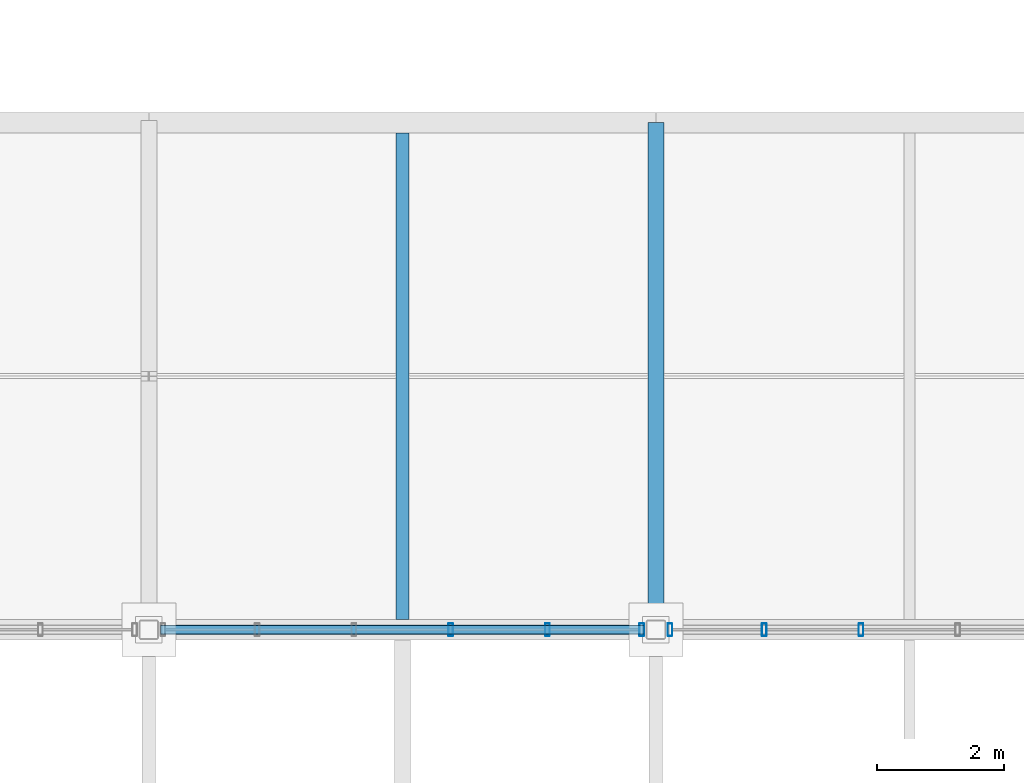
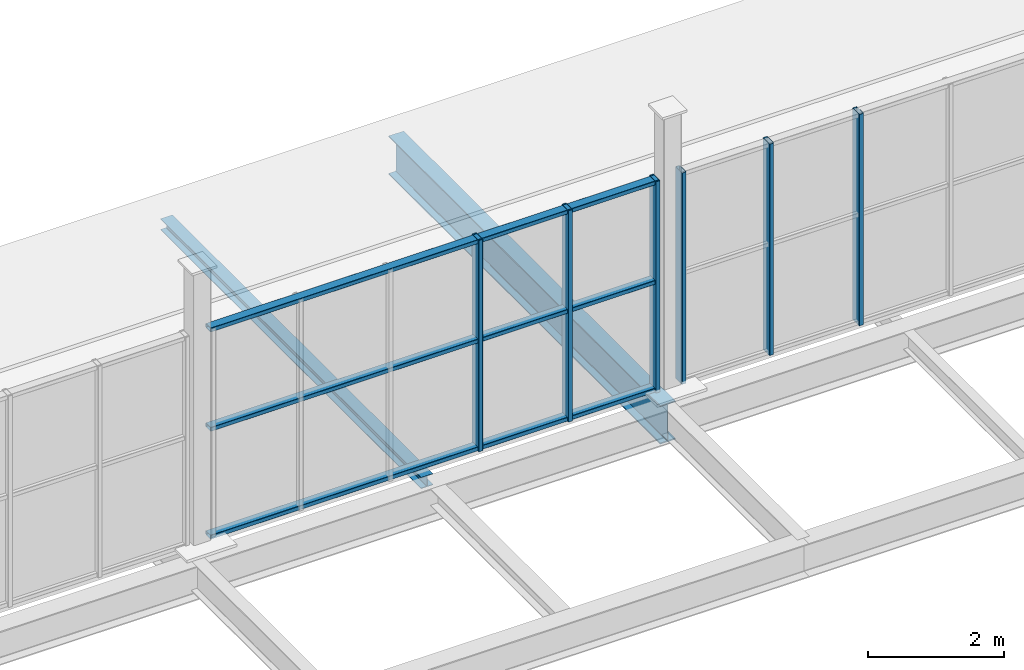
# One storey, part 50 of 96: 9 members, 2 beams, 2 elements without a shape of their own.
"""IFC4 building model written with IfcOpenShell, lengths in metres."""

from ifc_helpers import new_model, si_unit, direction, frame, origin, origin_2d, place, context, subcontext, project, spatial, hollow_rectangle, i_section, extrude, material, material_profile, profile_set, type_object, element, aggregate, save


model = new_model("IFC4")

# Units and contexts
model_context = context("Model", 3, precision=1e-05, world=origin(), true_north=direction((0.0, 1.0)))
body_context = subcontext(model_context, "Body", "Model", "MODEL_VIEW")
ifc_project = project(units=[si_unit("LENGTHUNIT", "METRE"), si_unit("AREAUNIT", "SQUARE_METRE"), si_unit("VOLUMEUNIT", "CUBIC_METRE"), si_unit("PLANEANGLEUNIT", "RADIAN"), si_unit("MASSUNIT", "GRAM", prefix="KILO")], contexts=[model_context])

# Site, building, storey
site_placement = place(None, origin())
site = spatial("IfcSite", under=ifc_project, at=site_placement, CompositionType="ELEMENT")
building_placement = place(site_placement, origin())
building = spatial("IfcBuilding", under=site, at=building_placement, Name="Verrall Gate Interchange", CompositionType="ELEMENT")
storey_placement = place(building_placement, frame((0.0, 0.0, 11.39990234375)))
storey = spatial("IfcBuildingStorey", under=building, at=storey_placement, Name="L03", CompositionType="ELEMENT", Elevation=11.39990234375)

# Beam
ifc_material_1 = material(Name="Structural Steel CSA G40.21 350WT Cat 4", Category="steel")
ifc_material_profile_1 = material_profile(ifc_material_1, i_section(OverallWidth=0.256103515625, OverallDepth=0.693115234375, WebThickness=0.01318359375, FlangeThickness=0.02001953125, FilletRadius=0.01611328125, at=origin_2d()), Name="W690x170")
ifc_profile_set_1 = profile_set([ifc_material_profile_1], Name="Structural Steel CSA G40.21 350WT Cat 4")
beam_type_1 = type_object("IfcBeamType", Name="B-07 Structural Beam W690x170", PredefinedType="BEAM", material=ifc_profile_set_1)
beam_1_placement = place(storey_placement, frame((84.0, 48.0, -0.676513671875), z_axis=(0.0, 1.0, 0.0), x_axis=(-1.0, 0.0, 0.0)))
element("IfcBeam", 1, at=beam_1_placement, inside=storey, type_object=beam_type_1, Name="L03 Girder BM-L03-2300 (B-07)", PredefinedType="BEAM", context=body_context, shape_type="SweptSolid", body=[
    extrude(i_section(OverallWidth=0.256103515625, OverallDepth=0.693115234375, WebThickness=0.01318359375, FlangeThickness=0.02001953125, FilletRadius=0.01611328125, at=origin_2d()), origin(), (0.0, 0.0, 1.0), 8.0),
])

# Curtain wall, members
ifc_material_2 = material(Name="Thermally Broken Anodized Aluminium Curtain Wall Framing", Category="aluminium")
curtain_wall_type = type_object("IfcCurtainWallType", Name="CW-53 Unitized Curtain Wall 7631x3800", PredefinedType="NOTDEFINED", material=ifc_material_2)
curtain_wall_1_placement = place(storey_placement, origin())
curtain_wall_1 = element("IfcCurtainWall", 2, at=curtain_wall_1_placement, inside=storey, type_object=curtain_wall_type, Name="L03 Unitized Curtain Wall CW-L03-CLR-178", PredefinedType="NOTDEFINED")
ifc_material_3 = material(Name="Thermally Broken Anodized Aluminium Curtain Wall Framing", Category="aluminium")
ifc_material_profile_2 = material_profile(ifc_material_3, hollow_rectangle(XDim=0.074951171875, YDim=0.199951171875, WallThickness=0.0048828125, InnerFilletRadius=0.0048828125, OuterFilletRadius=0.010009765625, at=origin_2d()), Name="CWM200x75x5")
ifc_profile_set_2 = profile_set([ifc_material_profile_2], Name="Thermally Broken Anodized Aluminium Curtain Wall Framing")
member_type_1 = type_object("IfcMemberType", Name="CM-02 Curtain Mullion CWM200x75x5", PredefinedType="MULLION", material=ifc_profile_set_2)
member_1_placement = place(storey_placement, frame((80.76318359375, 48.0, 0.0), z_axis=(0.0, 0.0, 1.0), x_axis=(1.0, 0.0, 0.0)))
member_1 = element("IfcMember", 3, at=member_1_placement, type_object=member_type_1, Name="CW-L03-CLR-178 Mullion 4", PredefinedType="MULLION", context=body_context, shape_type="SweptSolid", body=[
    extrude(hollow_rectangle(XDim=0.074951171875, YDim=0.199951171875, WallThickness=0.0048828125, InnerFilletRadius=0.0048828125, OuterFilletRadius=0.010009765625, at=origin_2d()), origin(), (0.0, 0.0, 1.0), 3.800048828125),
])
member_2_placement = place(storey_placement, frame((82.289306640625, 48.0, 0.0), z_axis=(0.0, 0.0, 1.0), x_axis=(1.0, 0.0, 0.0)))
member_2 = element("IfcMember", 4, at=member_2_placement, type_object=member_type_1, Name="CW-L03-CLR-178 Mullion 5", PredefinedType="MULLION", context=body_context, shape_type="SweptSolid", body=[
    extrude(hollow_rectangle(XDim=0.074951171875, YDim=0.199951171875, WallThickness=0.0048828125, InnerFilletRadius=0.0048828125, OuterFilletRadius=0.010009765625, at=origin_2d()), origin(), (0.0, 0.0, 1.0), 3.800048828125),
])
member_3_placement = place(storey_placement, frame((83.778076171875, 48.0, 0.0), z_axis=(0.0, 0.0, 1.0), x_axis=(1.0, 0.0, 0.0)))
member_3 = element("IfcMember", 5, at=member_3_placement, type_object=member_type_1, Name="CW-L03-CLR-178 Mullion 6", PredefinedType="MULLION", context=body_context, shape_type="SweptSolid", body=[
    extrude(hollow_rectangle(XDim=0.074951171875, YDim=0.199951171875, WallThickness=0.0048828125, InnerFilletRadius=0.0048828125, OuterFilletRadius=0.010009765625, at=origin_2d()), origin(), (0.0, 0.0, 1.0), 3.800048828125),
])

curtain_wall_2_placement = place(storey_placement, origin())
curtain_wall_2 = element("IfcCurtainWall", 6, at=curtain_wall_2_placement, inside=storey, type_object=curtain_wall_type, Name="L03 Unitized Curtain Wall CW-L03-CLR-179", PredefinedType="NOTDEFINED")
member_4_placement = place(storey_placement, frame((84.221923828125, 48.0, 0.0), z_axis=(0.0, 0.0, 1.0), x_axis=(1.0, 0.0, 0.0)))
member_4 = element("IfcMember", 7, at=member_4_placement, type_object=member_type_1, Name="CW-L03-CLR-179 Mullion 1", PredefinedType="MULLION", context=body_context, shape_type="SweptSolid", body=[
    extrude(hollow_rectangle(XDim=0.074951171875, YDim=0.199951171875, WallThickness=0.0048828125, InnerFilletRadius=0.0048828125, OuterFilletRadius=0.010009765625, at=origin_2d()), origin(), (0.0, 0.0, 1.0), 3.800048828125),
])
member_5_placement = place(storey_placement, frame((85.710693359375, 48.0, 0.0), z_axis=(0.0, 0.0, 1.0), x_axis=(1.0, 0.0, 0.0)))
member_5 = element("IfcMember", 8, at=member_5_placement, type_object=member_type_1, Name="CW-L03-CLR-179 Mullion 2", PredefinedType="MULLION", context=body_context, shape_type="SweptSolid", body=[
    extrude(hollow_rectangle(XDim=0.074951171875, YDim=0.199951171875, WallThickness=0.0048828125, InnerFilletRadius=0.0048828125, OuterFilletRadius=0.010009765625, at=origin_2d()), origin(), (0.0, 0.0, 1.0), 3.800048828125),
])
member_6_placement = place(storey_placement, frame((87.23681640625, 48.0, 0.0), z_axis=(0.0, 0.0, 1.0), x_axis=(1.0, 0.0, 0.0)))
member_6 = element("IfcMember", 9, at=member_6_placement, type_object=member_type_1, Name="CW-L03-CLR-179 Mullion 3", PredefinedType="MULLION", context=body_context, shape_type="SweptSolid", body=[
    extrude(hollow_rectangle(XDim=0.074951171875, YDim=0.199951171875, WallThickness=0.0048828125, InnerFilletRadius=0.0048828125, OuterFilletRadius=0.010009765625, at=origin_2d()), origin(), (0.0, 0.0, 1.0), 3.800048828125),
])
aggregate(curtain_wall_2, [member_4, member_5, member_6])

# Member
ifc_material_4 = material(Name="Thermally Broken Anodized Aluminium Curtain Wall Framing", Category="aluminium")
ifc_material_profile_3 = material_profile(ifc_material_4, hollow_rectangle(XDim=0.14990234375, YDim=0.074951171875, WallThickness=0.00439453125, InnerFilletRadius=0.00439453125, OuterFilletRadius=0.009033203125, at=origin_2d()), Name="CWT150x75x4.5")
ifc_profile_set_3 = profile_set([ifc_material_profile_3], Name="Thermally Broken Anodized Aluminium Curtain Wall Framing")
member_type_2 = type_object("IfcMemberType", Name="CT-02 Curtain Transom CWT150x75x4.5", PredefinedType="USERDEFINED", material=ifc_profile_set_3)
member_7_placement = place(storey_placement, frame((76.1845703125, 48.0, 0.03759765625), z_axis=(1.0, 0.0, 0.0), x_axis=(0.0, 1.0, 0.0)))
member_7 = element("IfcMember", 10, at=member_7_placement, type_object=member_type_2, Name="CW-L03-CLR-178 Transom 1", ObjectType="TRANSOM", PredefinedType="USERDEFINED", context=body_context, shape_type="SweptSolid", body=[
    extrude(hollow_rectangle(XDim=0.14990234375, YDim=0.074951171875, WallThickness=0.00439453125, InnerFilletRadius=0.00439453125, OuterFilletRadius=0.009033203125, at=origin_2d()), origin(), (0.0, 0.0, 1.0), 7.630859375),
])

member_8_placement = place(storey_placement, frame((76.1845703125, 48.0, 1.97607421875), z_axis=(1.0, 0.0, 0.0), x_axis=(0.0, 1.0, 0.0)))
member_8 = element("IfcMember", 11, at=member_8_placement, type_object=member_type_2, Name="CW-L03-CLR-178 Transom 2", ObjectType="TRANSOM", PredefinedType="USERDEFINED", context=body_context, shape_type="SweptSolid", body=[
    extrude(hollow_rectangle(XDim=0.14990234375, YDim=0.074951171875, WallThickness=0.00439453125, InnerFilletRadius=0.00439453125, OuterFilletRadius=0.009033203125, at=origin_2d()), origin(), (0.0, 0.0, 1.0), 7.630859375),
])

member_9_placement = place(storey_placement, frame((76.1845703125, 48.0, 3.7626953125), z_axis=(1.0, 0.0, 0.0), x_axis=(0.0, 1.0, 0.0)))
member_9 = element("IfcMember", 12, at=member_9_placement, type_object=member_type_2, Name="CW-L03-CLR-178 Transom 3", ObjectType="TRANSOM", PredefinedType="USERDEFINED", context=body_context, shape_type="SweptSolid", body=[
    extrude(hollow_rectangle(XDim=0.14990234375, YDim=0.074951171875, WallThickness=0.00439453125, InnerFilletRadius=0.00439453125, OuterFilletRadius=0.009033203125, at=origin_2d()), origin(), (0.0, 0.0, 1.0), 7.630859375),
])

aggregate(curtain_wall_1, [member_1, member_2, member_3, member_7, member_8, member_9])

# Beam
ifc_material_5 = material(Name="Structural Steel CSA G40.21 350W", Category="steel")
ifc_material_profile_4 = material_profile(ifc_material_5, i_section(OverallWidth=0.202880859375, OverallDepth=0.202880859375, WebThickness=0.007080078125, FlangeThickness=0.010986328125, FilletRadius=0.010009765625, at=origin_2d()), Name="W200x46")
ifc_profile_set_4 = profile_set([ifc_material_profile_4], Name="Structural Steel CSA G40.21 350W")
beam_type_2 = type_object("IfcBeamType", Name="J-07 Floor Joist W200x46", PredefinedType="JOIST", material=ifc_profile_set_4)
beam_2_placement = place(storey_placement, frame((80.0, 48.162109375, -0.431396484375), z_axis=(0.0, 1.0, 0.0), x_axis=(-1.0, 0.0, 0.0)))
element("IfcBeam", 13, at=beam_2_placement, inside=storey, type_object=beam_type_2, Name="L03 Secondary Floor Joist JST-L03-2488", PredefinedType="JOIST", context=body_context, shape_type="SweptSolid", body=[
    extrude(i_section(OverallWidth=0.202880859375, OverallDepth=0.202880859375, WebThickness=0.007080078125, FlangeThickness=0.010986328125, FilletRadius=0.010009765625, at=origin_2d()), origin(), (0.0, 0.0, 1.0), 7.67578125),
])

save(model, "model.ifc")
